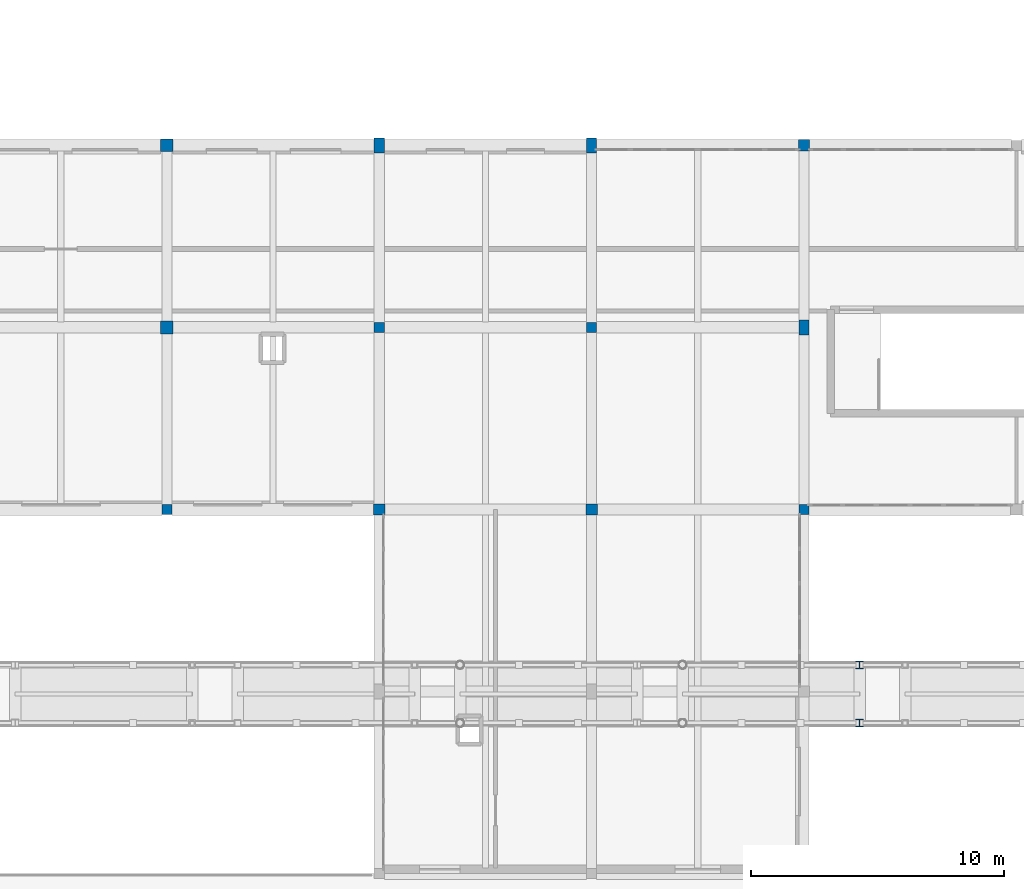
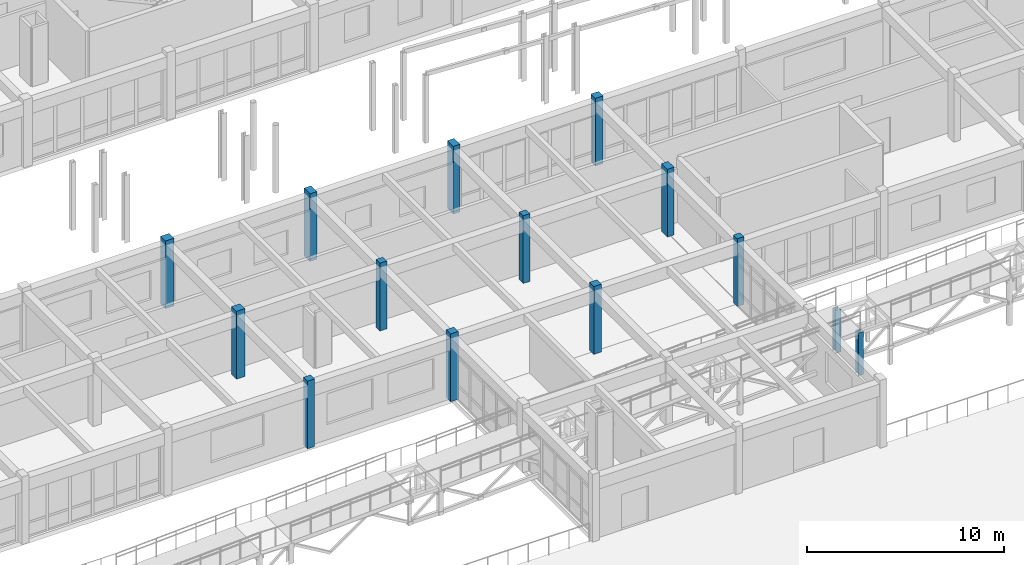
# One storey, part 4 of 90: 14 columns.
"""IFC4 building model written with IfcOpenShell, lengths in metres."""

from ifc_helpers import new_model, si_unit, direction, frame, origin, origin_2d, place, context, subcontext, project, spatial, rectangle, i_section, extrude, material, material_profile, profile_set, type_object, element, save


model = new_model("IFC4")

# Units and contexts
model_context = context("Model", 3, precision=1e-05, world=origin(), true_north=direction((0.0, 1.0)))
body_context = subcontext(model_context, "Body", "Model", "MODEL_VIEW")
ifc_project = project(units=[si_unit("LENGTHUNIT", "METRE"), si_unit("AREAUNIT", "SQUARE_METRE"), si_unit("VOLUMEUNIT", "CUBIC_METRE"), si_unit("PLANEANGLEUNIT", "RADIAN"), si_unit("MASSUNIT", "GRAM", prefix="KILO")], contexts=[model_context])

# Site, building, storey
site_placement = place(None, origin())
site = spatial("IfcSite", under=ifc_project, at=site_placement, CompositionType="ELEMENT")
building_placement = place(site_placement, origin())
building = spatial("IfcBuilding", under=site, at=building_placement, Name="Malvenik Polytechnic", CompositionType="ELEMENT")
storey_placement = place(building_placement, frame((0.0, 0.0, 9.300048828125)))
storey = spatial("IfcBuildingStorey", under=building, at=storey_placement, Name="L02", CompositionType="ELEMENT", Elevation=9.300048828125)

# Columns
ifc_material_1 = material(Name="Concrete C35/45", Category="concrete")
ifc_material_profile_1 = material_profile(ifc_material_1, rectangle(XDim=0.5, YDim=0.5, at=origin_2d()), Name="RC COL 500x500")
ifc_profile_set_1 = profile_set([ifc_material_profile_1], Name="Concrete C35/45")
column_type_1 = type_object("IfcColumnType", Name="STR-COL-C-08", PredefinedType="COLUMN", material=ifc_profile_set_1)
for number, where, z_axis, x_axis, name in (
    (1, (67.199951171875, 57.60009765625, 0.0), (0.0, 0.0, 1.0), (1.0, 0.0, 0.0), "Column C-08 L02 (67.2,57.6)"),
    (2, (67.199951171875, 64.800048828125, 0.0), (0.0, 0.0, 1.0), (1.0, 0.0, 0.0), "Column C-08 L02 (67.2,64.8)"),
):
    element("IfcColumn", number, at=place(storey_placement, frame(where, z_axis=z_axis, x_axis=x_axis)), inside=storey, type_object=column_type_1, Name=name, PredefinedType="COLUMN", context=body_context, shape_type="SweptSolid", body=[
        extrude(rectangle(XDim=0.5, YDim=0.5, at=origin_2d()), origin(), (0.0, 0.0, 1.0), 4.199951171875),
    ])
ifc_material_profile_2 = material_profile(ifc_material_1, rectangle(XDim=0.449951171875, YDim=0.449951171875, at=origin_2d()), Name="RC COL 450x450")
ifc_profile_set_2 = profile_set([ifc_material_profile_2], Name="Concrete C35/45")
column_type_2 = type_object("IfcColumnType", Name="STR-COL-C-09", PredefinedType="COLUMN", material=ifc_profile_set_2)
for number, where, z_axis, x_axis, name in (
    (3, (75.60009765625, 50.39990234375, 0.0), (0.0, 0.0, 1.0), (1.0, 0.0, 0.0), "Column C-09 L02 (75.6,50.4)"),
    (4, (84.0, 50.39990234375, 0.0), (0.0, 0.0, 1.0), (1.0, 0.0, 0.0), "Column C-09 L02 (84.0,50.4)"),
    (5, (92.39990234375, 64.800048828125, 0.0), (0.0, 0.0, 1.0), (1.0, 0.0, 0.0), "Column C-09 L02 (92.4,64.8)"),
):
    element("IfcColumn", number, at=place(storey_placement, frame(where, z_axis=z_axis, x_axis=x_axis)), inside=storey, type_object=column_type_2, Name=name, PredefinedType="COLUMN", context=body_context, shape_type="SweptSolid", body=[
        extrude(rectangle(XDim=0.449951171875, YDim=0.449951171875, at=origin_2d()), origin(), (0.0, 0.0, 1.0), 4.199951171875),
    ])
ifc_material_2 = material(Name="Concrete C30/37", Category="concrete")
ifc_material_profile_3 = material_profile(ifc_material_2, rectangle(XDim=0.39990234375, YDim=0.39990234375, at=origin_2d()), Name="RC COL 400x400")
ifc_profile_set_3 = profile_set([ifc_material_profile_3], Name="Concrete C30/37")
column_type_3 = type_object("IfcColumnType", Name="STR-COL-C-10", PredefinedType="COLUMN", material=ifc_profile_set_3)
for number, where, z_axis, x_axis, name in (
    (6, (67.199951171875, 50.39990234375, 0.0), (0.0, 0.0, 1.0), (1.0, 0.0, 0.0), "Column C-10 L02 (67.2,50.4)"),
    (7, (75.60009765625, 57.60009765625, 0.0), (0.0, 0.0, 1.0), (1.0, 0.0, 0.0), "Column C-10 L02 (75.6,57.6)"),
    (8, (84.0, 57.60009765625, 0.0), (0.0, 0.0, 1.0), (1.0, 0.0, 0.0), "Column C-10 L02 (84.0,57.6)"),
    (9, (92.39990234375, 50.39990234375, 0.0), (0.0, 0.0, 1.0), (1.0, 0.0, 0.0), "Column C-10 L02 (92.4,50.4)"),
):
    element("IfcColumn", number, at=place(storey_placement, frame(where, z_axis=z_axis, x_axis=x_axis)), inside=storey, type_object=column_type_3, Name=name, PredefinedType="COLUMN", context=body_context, shape_type="SweptSolid", body=[
        extrude(rectangle(XDim=0.39990234375, YDim=0.39990234375, at=origin_2d()), origin(), (0.0, 0.0, 1.0), 4.199951171875),
    ])
ifc_material_profile_4 = material_profile(ifc_material_1, rectangle(XDim=0.39990234375, YDim=0.60009765625, at=origin_2d()), Name="RC COL 600x400")
ifc_profile_set_4 = profile_set([ifc_material_profile_4], Name="Concrete C35/45")
column_type_4 = type_object("IfcColumnType", Name="STR-COL-C-15", PredefinedType="COLUMN", material=ifc_profile_set_4)
for number, where, z_axis, x_axis, name in (
    (10, (75.60009765625, 64.800048828125, 0.0), (0.0, 0.0, 1.0), (1.0, 0.0, 0.0), "Column C-15 L02 (75.6,64.8)"),
    (11, (84.0, 64.800048828125, 0.0), (0.0, 0.0, 1.0), (1.0, 0.0, 0.0), "Column C-15 L02 (84.0,64.8)"),
    (12, (92.39990234375, 57.60009765625, 0.0), (0.0, 0.0, 1.0), (1.0, 0.0, 0.0), "Column C-15 L02 (92.4,57.6)"),
):
    element("IfcColumn", number, at=place(storey_placement, frame(where, z_axis=z_axis, x_axis=x_axis)), inside=storey, type_object=column_type_4, Name=name, PredefinedType="COLUMN", context=body_context, shape_type="SweptSolid", body=[
        extrude(rectangle(XDim=0.39990234375, YDim=0.60009765625, at=origin_2d()), origin(), (0.0, 0.0, 1.0), 4.199951171875),
    ])
ifc_material_3 = material(Name="Steel S355", Category="steel")
ifc_material_profile_5 = material_profile(ifc_material_3, i_section(OverallWidth=0.300048828125, OverallDepth=0.300048828125, WebThickness=0.010986328125, FlangeThickness=0.01904296875, FilletRadius=0.027099609375, at=origin_2d()), Name="HEB 300")
ifc_profile_set_5 = profile_set([ifc_material_profile_5], Name="Steel S355")
column_type_5 = type_object("IfcColumnType", Name="STR-SCOL-SC-05", PredefinedType="COLUMN", material=ifc_profile_set_5)
for number, where, z_axis, x_axis, name in (
    (13, (94.60009765625, 41.949951171875, 0.0), (0.0, 0.0, 1.0), (1.0, 0.0, 0.0), "Bridge-Ramp Support Column SC-05 L02"),
    (14, (94.60009765625, 44.25, 0.0), (0.0, 0.0, 1.0), (1.0, 0.0, 0.0), "Bridge-Ramp Support Column SC-05 L02"),
):
    element("IfcColumn", number, at=place(storey_placement, frame(where, z_axis=z_axis, x_axis=x_axis)), inside=storey, type_object=column_type_5, Name=name, PredefinedType="COLUMN", context=body_context, shape_type="SweptSolid", body=[
        extrude(i_section(OverallWidth=0.300048828125, OverallDepth=0.300048828125, WebThickness=0.010986328125, FlangeThickness=0.01904296875, FilletRadius=0.027099609375, at=origin_2d()), origin(), (0.0, 0.0, 1.0), 2.659912109375),
    ])

save(model, "model.ifc")
